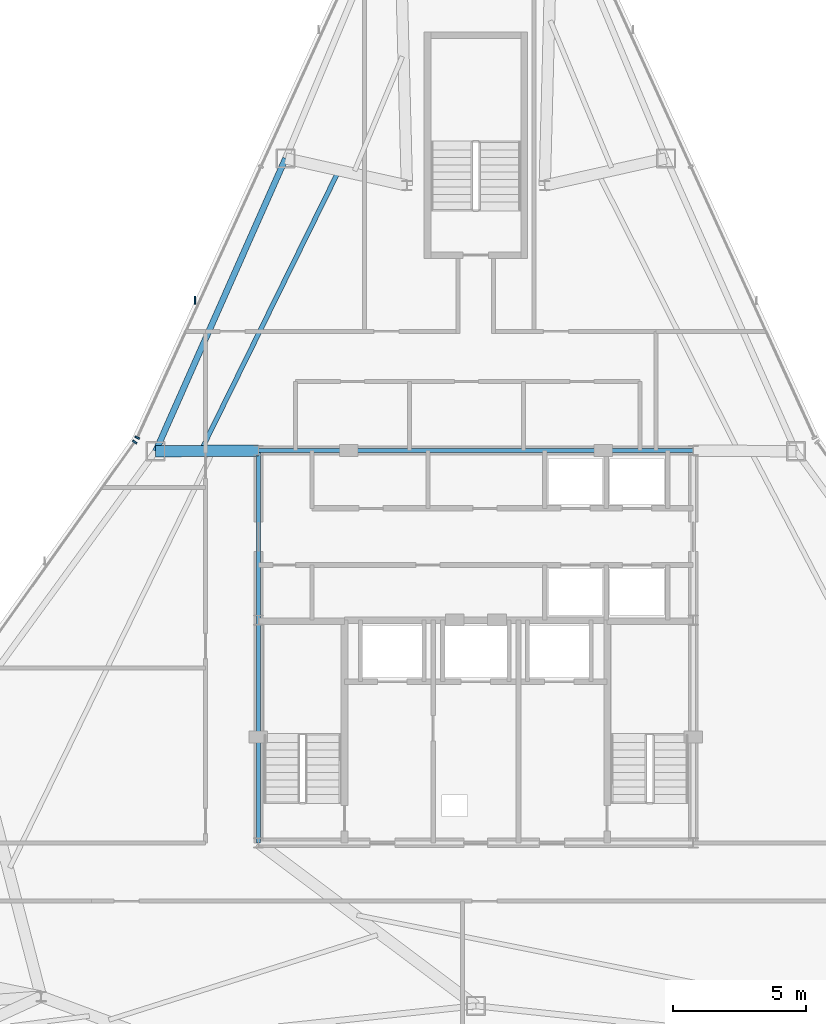
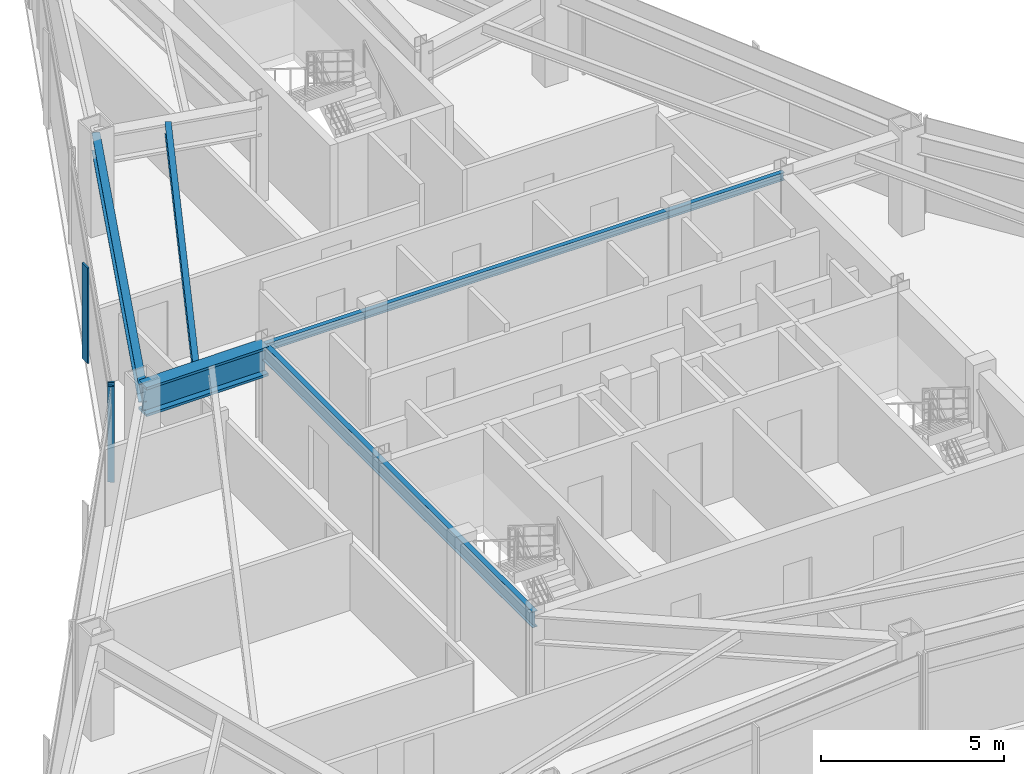
# One storey, part 5 of 11: 5 beams, 3 members, 2 elements without a shape of their own.
"""IFC4 building model written with IfcOpenShell, lengths in metres."""

from ifc_helpers import new_model, si_unit, direction, frame, origin, origin_2d, place, context, subcontext, project, spatial, rectangle, i_section, extrude, source, transform, mapped, material, layer, layer_set, material_profile, profile_set, type_object, type_shapes, element, aggregate, save


model = new_model("IFC4")

# Units and contexts
model_context = context("Model", 3, precision=1e-05, world=origin(), true_north=direction((0.0, 1.0)))
body_context = subcontext(model_context, "Body", "Model", "MODEL_VIEW")
ifc_project = project(units=[si_unit("LENGTHUNIT", "METRE"), si_unit("AREAUNIT", "SQUARE_METRE"), si_unit("VOLUMEUNIT", "CUBIC_METRE"), si_unit("PLANEANGLEUNIT", "RADIAN"), si_unit("MASSUNIT", "GRAM", prefix="KILO")], contexts=[model_context])

# Site, building, storey
site_placement = place(None, origin())
site = spatial("IfcSite", under=ifc_project, at=site_placement, CompositionType="ELEMENT")
building_placement = place(site_placement, origin())
building = spatial("IfcBuilding", under=site, at=building_placement, Name="Varakhsha Concourse Tower", CompositionType="ELEMENT")
storey_placement = place(building_placement, frame((0.0, 0.0, 246.89990234375)))
storey = spatial("IfcBuildingStorey", under=building, at=storey_placement, Name="L70", CompositionType="ELEMENT", Elevation=246.89990234375)

# Beams
ifc_material_1 = material(Name="Structural Steel ASTM A992 Grade 50", Category="steel")
ifc_material_profile_1 = material_profile(ifc_material_1, i_section(OverallWidth=0.177978515625, OverallDepth=0.406982421875, WebThickness=0.008056640625, FlangeThickness=0.012939453125, at=origin_2d()), Name="W16X40")
ifc_profile_set_1 = profile_set([ifc_material_profile_1], Name="Structural Steel ASTM A992 Grade 50")
beam_type_1 = type_object("IfcBeamType", Name="BM-JST-W16X40", PredefinedType="JOIST", material=ifc_profile_set_1)
beam_1_placement = place(storey_placement, frame((34.7880859375, 41.67431640625, 2.99658203125), z_axis=(-0.441452687095, -0.897284528484, 0.0), x_axis=(0.897284528484, -0.441452687095, 0.0)))
element("IfcBeam", 1, at=beam_1_placement, inside=storey, type_object=beam_type_1, Name="BM-TJST-L70-04", PredefinedType="JOIST", context=body_context, shape_type="SweptSolid", body=[
    extrude(i_section(OverallWidth=0.177978515625, OverallDepth=0.406982421875, WebThickness=0.008056640625, FlangeThickness=0.012939453125, at=origin_2d()), origin(), (0.0, 0.0, 1.0), 11.57958984375),
])
ifc_material_profile_2 = material_profile(ifc_material_1, i_section(OverallWidth=0.14697265625, OverallDepth=0.261962890625, WebThickness=0.007080078125, FlangeThickness=0.010986328125, at=origin_2d()), Name="W10X26")
ifc_profile_set_2 = profile_set([ifc_material_profile_2], Name="Structural Steel ASTM A992 Grade 50")
beam_type_2 = type_object("IfcBeamType", Name="BM-LNTL-W10X26", PredefinedType="LINTEL", material=ifc_profile_set_2)
beam_2_placement = place(storey_placement, frame((31.800048828125, 31.199951171875, 3.069091796875), z_axis=(1.0, 0.0, 0.0), x_axis=(0.0, 1.0, 0.0)))
element("IfcBeam", 2, at=beam_2_placement, inside=storey, type_object=beam_type_2, Name="BM-TCORE-L70-CN", PredefinedType="LINTEL", context=body_context, shape_type="SweptSolid", body=[
    extrude(i_section(OverallWidth=0.14697265625, OverallDepth=0.261962890625, WebThickness=0.007080078125, FlangeThickness=0.010986328125, at=origin_2d()), origin(), (0.0, 0.0, 1.0), 16.39990234375),
])
ifc_material_profile_3 = material_profile(ifc_material_1, i_section(OverallWidth=0.1669921875, OverallDepth=0.534912109375, WebThickness=0.010009765625, FlangeThickness=0.01708984375, at=origin_2d()), Name="W21X57")
ifc_profile_set_3 = profile_set([ifc_material_profile_3], Name="Structural Steel ASTM A992 Grade 50")
beam_type_3 = type_object("IfcBeamType", Name="BM-RAD-W21X57", PredefinedType="BEAM", material=ifc_profile_set_3)
beam_3_placement = place(storey_placement, frame((31.800048828125, 16.39990234375, 2.9326171875), z_axis=(0.0, 1.0, 0.0), x_axis=(-1.0, 0.0, 0.0)))
element("IfcBeam", 3, at=beam_3_placement, inside=storey, type_object=beam_type_3, Name="BM-TCORE-L70-CW", PredefinedType="BEAM", context=body_context, shape_type="SweptSolid", body=[
    extrude(i_section(OverallWidth=0.1669921875, OverallDepth=0.534912109375, WebThickness=0.010009765625, FlangeThickness=0.01708984375, at=origin_2d()), origin(), (0.0, 0.0, 1.0), 14.800048828125),
])
ifc_material_profile_4 = material_profile(ifc_material_1, i_section(OverallWidth=0.22900390625, OverallDepth=0.612060546875, WebThickness=0.011962890625, FlangeThickness=0.02001953125, at=origin_2d()), Name="W24X84")
ifc_profile_set_4 = profile_set([ifc_material_profile_4], Name="Structural Steel ASTM A992 Grade 50")
beam_type_4 = type_object("IfcBeamType", Name="BM-SPAN-W24X84", PredefinedType="SPANDREL", material=ifc_profile_set_4)
beam_4_placement = place(storey_placement, frame((32.82275390625, 42.22314453125, 2.89404296875), z_axis=(-0.405519963053, -0.914086188259, 0.0), x_axis=(0.914086188259, -0.405519963053, 0.0)))
element("IfcBeam", 4, at=beam_4_placement, inside=storey, type_object=beam_type_4, Name="BM-SPAN-L70-04", PredefinedType="SPANDREL", context=body_context, shape_type="SweptSolid", body=[
    extrude(i_section(OverallWidth=0.22900390625, OverallDepth=0.612060546875, WebThickness=0.011962890625, FlangeThickness=0.02001953125, at=origin_2d()), origin(), (0.0, 0.0, 1.0), 12.087890625),
])
ifc_material_profile_5 = material_profile(ifc_material_1, i_section(OverallWidth=0.427978515625, OverallDepth=0.97509765625, WebThickness=0.050048828125, FlangeThickness=0.0810546875, at=origin_2d()), Name="W36X395")
ifc_profile_set_5 = profile_set([ifc_material_profile_5], Name="Structural Steel ASTM A992 Grade 50")
beam_type_5 = type_object("IfcBeamType", Name="BM-XFER-W36X395", PredefinedType="USERDEFINED", material=ifc_profile_set_5)
beam_5_placement = place(storey_placement, frame((31.800048828125, 31.199951171875, 2.712646484375), z_axis=(-0.999977325921, -0.00673406595, 0.0), x_axis=(0.00673406595, -0.999977325921, 0.0)))
element("IfcBeam", 5, at=beam_5_placement, inside=storey, type_object=beam_type_5, Name="L70 Radial Floor Girder 05", ObjectType="GIRDER", PredefinedType="USERDEFINED", context=body_context, shape_type="SweptSolid", body=[
    extrude(i_section(OverallWidth=0.427978515625, OverallDepth=0.97509765625, WebThickness=0.050048828125, FlangeThickness=0.0810546875, at=origin_2d()), origin(), (0.0, 0.0, 1.0), 3.879150390625),
])

# Curtain wall, member
ifc_material_2 = material(Name="Anodised Bronze Architectural Aluminium AA 6063-T6", Category="aluminium")
ifc_layer = layer(ifc_material_2, 0.199951171875, Name="CW-SYS-05")
ifc_layer_set = layer_set([ifc_layer], Name="Anodised Bronze Architectural Aluminium AA 6063-T6")
curtain_wall_type = type_object("IfcCurtainWallType", Name="CW-SYS-05", PredefinedType="NOTDEFINED", material=ifc_layer_set)
curtain_wall_1_placement = place(storey_placement, origin())
curtain_wall_1 = element("IfcCurtainWall", 6, at=curtain_wall_1_placement, inside=storey, type_object=curtain_wall_type, Name="L70 Crystal Curtain Wall F2", PredefinedType="NOTDEFINED")
ifc_material_profile_6 = material_profile(ifc_material_2, rectangle(XDim=0.06494140625, YDim=0.179931640625, at=origin_2d()), Name="CWM-180X65")
ifc_profile_set_6 = profile_set([ifc_material_profile_6], Name="Anodised Bronze Architectural Aluminium AA 6063-T6")
member_type_1 = type_object("IfcMemberType", Name="CWM-180X65", PredefinedType="MULLION", material=ifc_profile_set_6)
shared_shape_1 = source(origin(), body_context, "Body", "SweptSolid", [
    extrude(rectangle(XDim=0.06494140625, YDim=0.179931640625, at=origin_2d()), origin(), (0.0, 0.0, 1.0), 3.2001953125),
])
type_shapes(member_type_1, [shared_shape_1])
member_1_placement = place(storey_placement, frame((27.223388671875, 31.686279296875, 0.0), z_axis=(0.0, 0.0, 1.0), x_axis=(0.415133120597, 0.909760678521, 0.0)))
member_1 = element("IfcMember", 7, at=member_1_placement, type_object=member_type_1, Name="CW-L70-F2 Mullion 00", PredefinedType="MULLION", context=body_context, shape_type="MappedRepresentation", body=[
    mapped(shared_shape_1, transform((0.0, 0.0, 0.0), scale=1.0)),
])

curtain_wall_2_placement = place(storey_placement, origin())
curtain_wall_2 = element("IfcCurtainWall", 8, at=curtain_wall_2_placement, inside=storey, type_object=curtain_wall_type, Name="L70 Crystal Curtain Wall F3", PredefinedType="NOTDEFINED")
member_2_placement = place(storey_placement, frame((27.12841796875, 31.52197265625, 0.0), z_axis=(0.0, 0.0, 1.0), x_axis=(0.580306455883, 0.814398193306, 0.0)))
member_2 = element("IfcMember", 9, at=member_2_placement, type_object=member_type_1, Name="CW-L70-F3 Mullion 02", PredefinedType="MULLION", context=body_context, shape_type="MappedRepresentation", body=[
    mapped(shared_shape_1, transform((0.0, 0.0, 0.0), scale=1.0)),
])
aggregate(curtain_wall_2, [member_2])

# Member
ifc_material_profile_7 = material_profile(ifc_material_2, rectangle(XDim=0.054931640625, YDim=0.300048828125, at=origin_2d()), Name="FIN-BRZ-300")
ifc_profile_set_7 = profile_set([ifc_material_profile_7], Name="Anodised Bronze Architectural Aluminium AA 6063-T6")
member_type_2 = type_object("IfcMemberType", Name="FIN-BRZ-300", PredefinedType="USERDEFINED", material=ifc_profile_set_7)
shared_shape_2 = source(origin(), body_context, "Body", "SweptSolid", [
    extrude(rectangle(XDim=0.054931640625, YDim=0.300048828125, at=origin_2d()), origin(), (0.0, 0.0, 1.0), 3.2001953125),
])
type_shapes(member_type_2, [shared_shape_2])
member_3_placement = place(storey_placement, frame((29.406494140625, 36.867919921875, 0.0), z_axis=(0.0, 0.0, 1.0), x_axis=(1.0, 0.0, 0.0)))
member_3 = element("IfcMember", 10, at=member_3_placement, type_object=member_type_2, Name="L70 Anodised Bronze Solar Fin F2-1", ObjectType="SOLAR FIN", PredefinedType="USERDEFINED", context=body_context, shape_type="MappedRepresentation", body=[
    mapped(shared_shape_2, transform((0.0, 0.0, 0.0), scale=1.0)),
])

aggregate(curtain_wall_1, [member_1, member_3])

save(model, "model.ifc")
